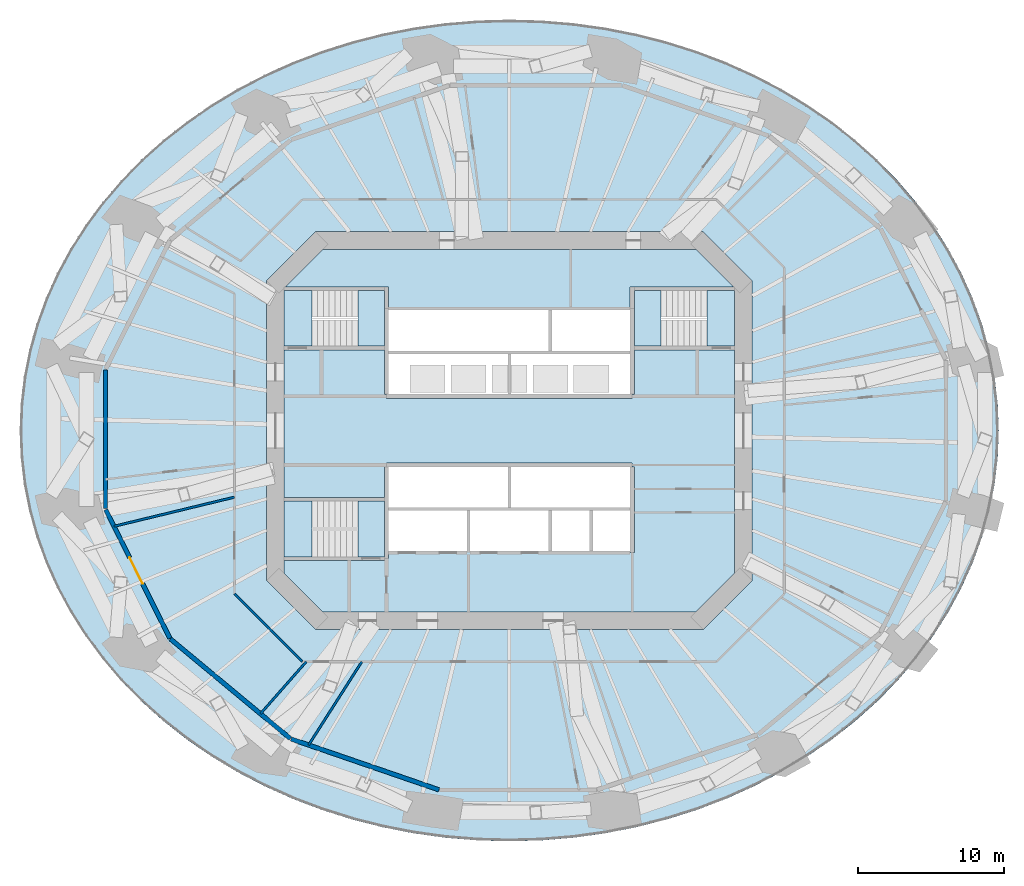
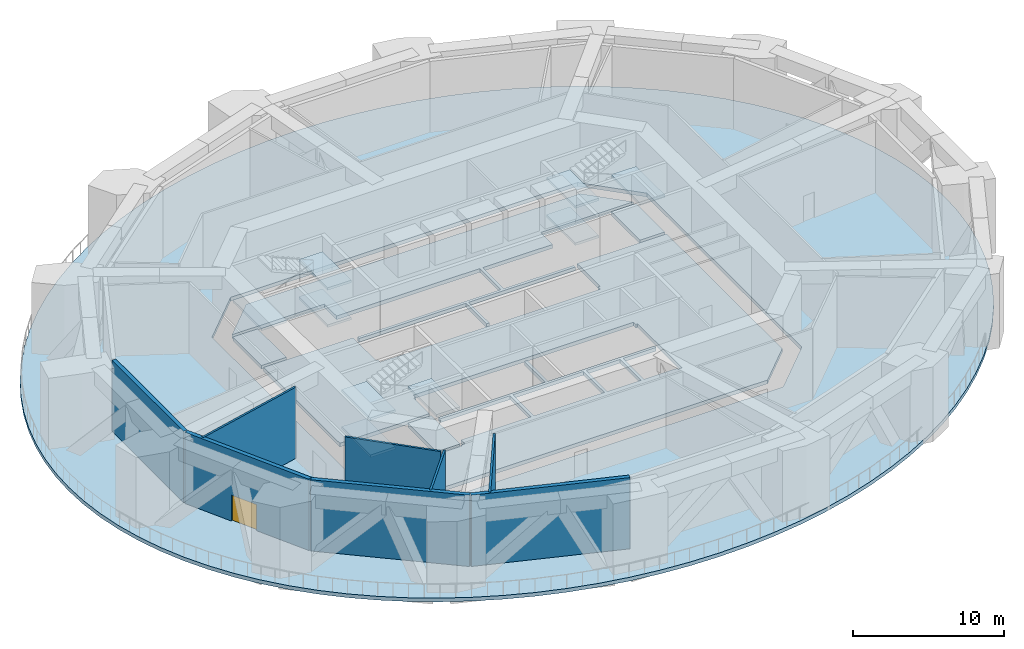
# One storey, part 4 of 12: 15 slabs, 8 walls, 1 door, 1 opening, 3 elements without a shape of their own.
"""IFC4 building model written with IfcOpenShell, lengths in metres."""

from ifc_helpers import new_model, si_unit, direction, frame, frame_2d, origin, place, context, subcontext, project, spatial, polyline, rectangle, outline, extrude, material, layer, layer_set, type_object, element, fill, aggregate, save


model = new_model("IFC4")

# Units and contexts
model_context = context("Model", 3, precision=1e-05, world=origin(), true_north=direction((0.0, 1.0)))
body_context = subcontext(model_context, "Body", "Model", "MODEL_VIEW")
ifc_project = project(units=[si_unit("LENGTHUNIT", "METRE"), si_unit("AREAUNIT", "SQUARE_METRE"), si_unit("VOLUMEUNIT", "CUBIC_METRE"), si_unit("PLANEANGLEUNIT", "RADIAN"), si_unit("MASSUNIT", "GRAM", prefix="KILO")], contexts=[model_context])

# Site, building, storey
site_placement = place(None, origin())
site = spatial("IfcSite", under=ifc_project, at=site_placement, CompositionType="ELEMENT")
building_placement = place(site_placement, origin())
building = spatial("IfcBuilding", under=site, at=building_placement, Name="Marenthal Gate Tower", CompositionType="ELEMENT")
storey_placement = place(building_placement, frame((0.0, 0.0, 149.64990234375)))
storey = spatial("IfcBuildingStorey", under=building, at=storey_placement, Name="L32", CompositionType="ELEMENT", Elevation=149.64990234375)

# Slabs
ifc_material_1 = material(Name="Concrete 50 MPa", Category="concrete")
ifc_layer_1 = layer(ifc_material_1, 0.300048828125)
ifc_layer_set_1 = layer_set([ifc_layer_1], Name="Core floor slab 300")
slab_type_1 = type_object("IfcSlabType", Name="Core floor slab 300", PredefinedType="FLOOR", material=ifc_layer_set_1)
slab_1_placement = place(storey_placement, frame((0.0, 0.0, -0.2998046875)))
element("IfcSlab", 1, at=slab_1_placement, inside=storey, type_object=slab_type_1, Name="Core floor L32", PredefinedType="FLOOR", context=body_context, shape_type="SweptSolid", body=[
    extrude(outline(polyline([(15.39990234375, -9.75146484375), (12.75146484375, -12.39990234375), (-12.75146484375, -12.39990234375), (-15.39990234375, -9.75146484375), (-15.39990234375, -8.875), (-8.550048828125, -8.875), (-8.550048828125, -8.75), (-8.25, -8.75), (-8.25, -8.239990234375), (-5.60009765625, -8.239990234375), (-2.909912109375, -8.239990234375), (-2.909912109375, -5.4599609375), (-5.60009765625, -5.4599609375), (-8.25, -5.4599609375), (-8.25, -5.239990234375), (-5.60009765625, -5.239990234375), (-2.800048828125, -5.239990234375), (-0.110107421875, -5.239990234375), (-0.110107421875, -2.5), (0.110107421875, -2.5), (0.110107421875, -5.239990234375), (2.800048828125, -5.239990234375), (5.60009765625, -5.239990234375), (8.25, -5.239990234375), (8.25, -5.4599609375), (5.7099609375, -5.4599609375), (5.7099609375, -8.239990234375), (8.25, -8.239990234375), (8.25, -8.35009765625), (8.550048828125, -8.35009765625), (8.550048828125, -2.5), (8.39990234375, -2.5), (8.39990234375, -2.199951171875), (-8.39990234375, -2.199951171875), (-8.39990234375, -2.5), (-8.550048828125, -2.5), (-8.550048828125, -4.574951171875), (-15.39990234375, -4.574951171875), (-15.39990234375, 5.52490234375), (-8.550048828125, 5.52490234375), (-8.550048828125, 2.5), (-8.39990234375, 2.5), (-8.39990234375, 2.199951171875), (8.39990234375, 2.199951171875), (8.39990234375, 2.5), (8.550048828125, 2.5), (8.550048828125, 5.52490234375), (15.39990234375, 5.52490234375), (15.39990234375, -9.75146484375)]), holes=[polyline([(2.68994140625, -5.4599609375), (0.0, -5.4599609375), (-2.68994140625, -5.4599609375), (-2.68994140625, -8.239990234375), (0.0, -8.239990234375), (2.68994140625, -8.239990234375), (2.68994140625, -5.4599609375)]), polyline([(5.489990234375, -5.4599609375), (2.909912109375, -5.4599609375), (2.909912109375, -8.239990234375), (5.489990234375, -8.239990234375), (5.489990234375, -5.4599609375)])]), origin(), (0.0, 0.0, 1.0), 0.2998046875),
])
slab_2_placement = place(storey_placement, frame((0.0, 0.0, -0.2998046875)))
element("IfcSlab", 2, at=slab_2_placement, inside=storey, type_object=slab_type_1, Name="Core floor L32", PredefinedType="FLOOR", context=body_context, shape_type="SweptSolid", body=[
    extrude(outline(polyline([(15.39990234375, 5.77490234375), (13.5, 5.77490234375), (13.5, 9.574951171875), (15.39990234375, 9.574951171875), (15.39990234375, 5.77490234375)])), origin(), (0.0, 0.0, 1.0), 0.2998046875),
])
slab_3_placement = place(storey_placement, frame((0.0, 0.0, -0.2998046875)))
element("IfcSlab", 3, at=slab_3_placement, inside=storey, type_object=slab_type_1, Name="Core floor L32", PredefinedType="FLOOR", context=body_context, shape_type="SweptSolid", body=[
    extrude(outline(polyline([(12.75146484375, 12.39990234375), (15.326416015625, 9.824951171875), (8.550048828125, 9.824951171875), (8.25, 9.824951171875), (8.25, 8.35009765625), (8.25, 8.239990234375), (5.60009765625, 8.239990234375), (2.909912109375, 8.239990234375), (2.909912109375, 5.4599609375), (5.60009765625, 5.4599609375), (8.25, 5.4599609375), (8.25, 5.239990234375), (5.60009765625, 5.239990234375), (2.800048828125, 5.239990234375), (0.110107421875, 5.239990234375), (0.110107421875, 2.5), (-0.110107421875, 2.5), (-0.110107421875, 5.239990234375), (-2.800048828125, 5.239990234375), (-5.60009765625, 5.239990234375), (-8.25, 5.239990234375), (-8.25, 5.4599609375), (-5.60009765625, 5.4599609375), (-2.800048828125, 5.4599609375), (0.0, 5.4599609375), (2.68994140625, 5.4599609375), (2.68994140625, 8.239990234375), (0.0, 8.239990234375), (-2.800048828125, 8.239990234375), (-5.60009765625, 8.239990234375), (-8.25, 8.239990234375), (-8.25, 8.35009765625), (-8.25, 9.824951171875), (-8.550048828125, 9.824951171875), (-15.326416015625, 9.824951171875), (-12.75146484375, 12.39990234375), (12.75146484375, 12.39990234375)])), origin(), (0.0, 0.0, 1.0), 0.2998046875),
])
slab_4_placement = place(storey_placement, frame((0.0, 0.0, -0.2998046875)))
element("IfcSlab", 4, at=slab_4_placement, inside=storey, type_object=slab_type_1, Name="Core floor L32", PredefinedType="FLOOR", context=body_context, shape_type="SweptSolid", body=[
    extrude(outline(polyline([(-15.39990234375, 9.574951171875), (-13.5, 9.574951171875), (-13.5, 5.77490234375), (-15.39990234375, 5.77490234375), (-15.39990234375, 9.574951171875)])), origin(), (0.0, 0.0, 1.0), 0.2998046875),
])
slab_5_placement = place(storey_placement, frame((0.0, 0.0, -0.2998046875)))
element("IfcSlab", 5, at=slab_5_placement, inside=storey, type_object=slab_type_1, Name="Core floor L32", PredefinedType="FLOOR", context=body_context, shape_type="SweptSolid", body=[
    extrude(outline(polyline([(-8.550048828125, -8.625), (-10.35009765625, -8.625), (-10.35009765625, -4.824951171875), (-8.550048828125, -4.824951171875), (-8.550048828125, -8.625)])), origin(), (0.0, 0.0, 1.0), 0.2998046875),
])
ifc_material_2 = material(Name="Concrete 35 MPa", Category="concrete")
ifc_layer_2 = layer(ifc_material_2, 0.300048828125)
ifc_layer_set_2 = layer_set([ifc_layer_2], Name="Refuge floor slab 300")
slab_type_2 = type_object("IfcSlabType", Name="Refuge floor slab 300", PredefinedType="FLOOR", material=ifc_layer_set_2)
slab_6_placement = place(storey_placement, frame((0.0, 0.0, -0.2998046875)))
element("IfcSlab", 6, at=slab_6_placement, inside=storey, type_object=slab_type_2, Name="SL-L32-01", PredefinedType="FLOOR", context=body_context, shape_type="SweptSolid", body=[
    extrude(outline(polyline([(33.4619140625, 0.0), (33.390380859375, 1.836181640625), (33.17578125, 3.664794921875), (32.819091796875, 5.4775390625), (32.32177734375, 7.266845703125), (31.686279296875, 9.025146484375), (30.914794921875, 10.74462890625), (30.01123046875, 12.418212890625), (28.97900390625, 14.03857421875), (27.822509765625, 15.5986328125), (26.547119140625, 17.09228515625), (25.158203125, 18.512451171875), (23.6611328125, 19.853515625), (22.06298828125, 21.109375), (20.370361328125, 22.27490234375), (18.590576171875, 23.34521484375), (16.73095703125, 24.3154296875), (14.7998046875, 25.181396484375), (12.805419921875, 25.939697265625), (10.756103515625, 26.5869140625), (8.66064453125, 27.120361328125), (6.528076171875, 27.53759765625), (4.36767578125, 27.8369140625), (2.1884765625, 28.016845703125), (0.0, 28.076904296875), (-2.1884765625, 28.016845703125), (-4.36767578125, 27.8369140625), (-6.528076171875, 27.53759765625), (-8.66064453125, 27.120361328125), (-10.756103515625, 26.5869140625), (-12.805419921875, 25.939697265625), (-14.7998046875, 25.181396484375), (-16.73095703125, 24.3154296875), (-18.590576171875, 23.34521484375), (-20.370361328125, 22.27490234375), (-22.06298828125, 21.109375), (-23.6611328125, 19.853515625), (-25.158203125, 18.512451171875), (-26.547119140625, 17.09228515625), (-27.822509765625, 15.5986328125), (-28.97900390625, 14.03857421875), (-30.01123046875, 12.418212890625), (-30.914794921875, 10.74462890625), (-31.686279296875, 9.025146484375), (-32.32177734375, 7.266845703125), (-32.819091796875, 5.4775390625), (-33.17578125, 3.664794921875), (-33.390380859375, 1.836181640625), (-33.4619140625, 0.0), (-33.390380859375, -1.836181640625), (-33.17578125, -3.664794921875), (-32.819091796875, -5.4775390625), (-32.32177734375, -7.266845703125), (-31.686279296875, -9.025146484375), (-30.914794921875, -10.74462890625), (-30.01123046875, -12.418212890625), (-28.97900390625, -14.03857421875), (-27.822509765625, -15.5986328125), (-26.547119140625, -17.09228515625), (-25.158203125, -18.512451171875), (-23.6611328125, -19.853515625), (-22.06298828125, -21.109375), (-20.370361328125, -22.27490234375), (-18.590576171875, -23.34521484375), (-16.73095703125, -24.3154296875), (-14.7998046875, -25.181396484375), (-12.805419921875, -25.939697265625), (-10.756103515625, -26.5869140625), (-8.66064453125, -27.120361328125), (-6.528076171875, -27.53759765625), (-4.36767578125, -27.8369140625), (-2.1884765625, -28.016845703125), (0.0, -28.076904296875), (2.1884765625, -28.016845703125), (4.36767578125, -27.8369140625), (6.528076171875, -27.53759765625), (8.66064453125, -27.120361328125), (10.756103515625, -26.5869140625), (12.805419921875, -25.939697265625), (14.7998046875, -25.181396484375), (16.73095703125, -24.3154296875), (18.590576171875, -23.34521484375), (20.370361328125, -22.27490234375), (22.06298828125, -21.109375), (23.6611328125, -19.853515625), (25.158203125, -18.512451171875), (26.547119140625, -17.09228515625), (27.822509765625, -15.5986328125), (28.97900390625, -14.03857421875), (30.01123046875, -12.418212890625), (30.914794921875, -10.74462890625), (31.686279296875, -9.025146484375), (32.32177734375, -7.266845703125), (32.819091796875, -5.4775390625), (33.17578125, -3.664794921875), (33.390380859375, -1.836181640625), (33.4619140625, 0.0)]), holes=[polyline([(13.24853515625, -13.60009765625), (16.60009765625, -10.24853515625), (16.60009765625, 10.24853515625), (13.24853515625, 13.60009765625), (-13.24853515625, 13.60009765625), (-16.60009765625, 10.24853515625), (-16.60009765625, -10.24853515625), (-13.24853515625, -13.60009765625), (13.24853515625, -13.60009765625)])]), origin(), (0.0, 0.0, 1.0), 0.2998046875),
])

# Stair, slabs
ifc_material_3 = material(Name="Concrete 40 MPa", Category="concrete")
stair_type = type_object("IfcStairType", Name="Exit stair 1800", PredefinedType="HALF_TURN_STAIR", material=ifc_material_3)
stair_1_placement = place(storey_placement, origin())
stair_1 = element("IfcStair", 7, at=stair_1_placement, inside=storey, type_object=stair_type, Name="Stair ST1", PredefinedType="HALF_TURN_STAIR")
ifc_material_4 = material(Name="Concrete 40 MPa", Category="concrete")
ifc_layer_3 = layer(ifc_material_4, 0.199951171875)
ifc_layer_set_3 = layer_set([ifc_layer_3], Name="Stair landing 200")
slab_type_3 = type_object("IfcSlabType", Name="Stair landing 200", PredefinedType="LANDING", material=ifc_layer_set_3)
slab_7_placement = place(storey_placement, frame((0.0, 0.0, 1.300048828125)))
slab_7 = element("IfcSlab", 8, at=slab_7_placement, type_object=slab_type_3, Name="ST1 landing 1", PredefinedType="LANDING", context=body_context, shape_type="SweptSolid", body=[
    extrude(outline(polyline([(-10.350341796875, 5.77490234375), (-8.550048828125, 5.77490234375), (-8.550048828125, 9.574951171875), (-10.350341796875, 9.574951171875), (-10.350341796875, 5.77490234375)])), origin(), (0.0, 0.0, 1.0), 0.199951171875),
])
slab_8_placement = place(storey_placement, frame((0.0, 0.0, 2.800048828125)))
slab_8 = element("IfcSlab", 9, at=slab_8_placement, type_object=slab_type_3, Name="ST1 landing 2", PredefinedType="LANDING", context=body_context, shape_type="SweptSolid", body=[
    extrude(outline(polyline([(-15.39990234375, 5.77490234375), (-13.5, 5.77490234375), (-13.5, 9.574951171875), (-15.39990234375, 9.574951171875), (-15.39990234375, 5.77490234375)])), origin(), (0.0, 0.0, 1.0), 0.199951171875),
])
slab_9_placement = place(storey_placement, frame((0.0, 0.0, 4.300048828125)))
slab_9 = element("IfcSlab", 10, at=slab_9_placement, type_object=slab_type_3, Name="ST1 landing 3", PredefinedType="LANDING", context=body_context, shape_type="SweptSolid", body=[
    extrude(outline(polyline([(-10.350341796875, 5.77490234375), (-8.550048828125, 5.77490234375), (-8.550048828125, 9.574951171875), (-10.350341796875, 9.574951171875), (-10.350341796875, 5.77490234375)])), origin(), (0.0, 0.0, 1.0), 0.199951171875),
])
aggregate(stair_1, [slab_7, slab_8, slab_9])

stair_2_placement = place(storey_placement, origin())
stair_2 = element("IfcStair", 11, at=stair_2_placement, inside=storey, type_object=stair_type, Name="Stair ST2", PredefinedType="HALF_TURN_STAIR")
slab_10_placement = place(storey_placement, frame((0.0, 0.0, 1.300048828125)))
slab_10 = element("IfcSlab", 12, at=slab_10_placement, type_object=slab_type_3, Name="ST2 landing 1", PredefinedType="LANDING", context=body_context, shape_type="SweptSolid", body=[
    extrude(outline(polyline([(-15.39990234375, -8.625), (-13.49951171875, -8.625), (-13.49951171875, -4.824951171875), (-15.39990234375, -4.824951171875), (-15.39990234375, -8.625)])), origin(), (0.0, 0.0, 1.0), 0.199951171875),
])
slab_11_placement = place(storey_placement, frame((0.0, 0.0, 2.800048828125)))
slab_11 = element("IfcSlab", 13, at=slab_11_placement, type_object=slab_type_3, Name="ST2 landing 2", PredefinedType="LANDING", context=body_context, shape_type="SweptSolid", body=[
    extrude(outline(polyline([(-10.35009765625, -8.625), (-8.550048828125, -8.625), (-8.550048828125, -4.824951171875), (-10.35009765625, -4.824951171875), (-10.35009765625, -8.625)])), origin(), (0.0, 0.0, 1.0), 0.199951171875),
])
slab_12_placement = place(storey_placement, frame((0.0, 0.0, 4.300048828125)))
slab_12 = element("IfcSlab", 14, at=slab_12_placement, type_object=slab_type_3, Name="ST2 landing 3", PredefinedType="LANDING", context=body_context, shape_type="SweptSolid", body=[
    extrude(outline(polyline([(-15.39990234375, -8.625), (-13.49951171875, -8.625), (-13.49951171875, -4.824951171875), (-15.39990234375, -4.824951171875), (-15.39990234375, -8.625)])), origin(), (0.0, 0.0, 1.0), 0.199951171875),
])
aggregate(stair_2, [slab_10, slab_11, slab_12])

stair_3_placement = place(storey_placement, origin())
stair_3 = element("IfcStair", 15, at=stair_3_placement, inside=storey, type_object=stair_type, Name="Stair ST3", PredefinedType="HALF_TURN_STAIR")
slab_13_placement = place(storey_placement, frame((0.0, 0.0, 1.300048828125)))
slab_13 = element("IfcSlab", 16, at=slab_13_placement, type_object=slab_type_3, Name="ST3 landing 1", PredefinedType="LANDING", context=body_context, shape_type="SweptSolid", body=[
    extrude(outline(polyline([(8.550048828125, 5.77490234375), (10.350341796875, 5.77490234375), (10.350341796875, 9.574951171875), (8.550048828125, 9.574951171875), (8.550048828125, 5.77490234375)])), origin(), (0.0, 0.0, 1.0), 0.199951171875),
])
slab_14_placement = place(storey_placement, frame((0.0, 0.0, 2.800048828125)))
slab_14 = element("IfcSlab", 17, at=slab_14_placement, type_object=slab_type_3, Name="ST3 landing 2", PredefinedType="LANDING", context=body_context, shape_type="SweptSolid", body=[
    extrude(outline(polyline([(13.5, 5.77490234375), (15.39990234375, 5.77490234375), (15.39990234375, 9.574951171875), (13.5, 9.574951171875), (13.5, 5.77490234375)])), origin(), (0.0, 0.0, 1.0), 0.199951171875),
])
slab_15_placement = place(storey_placement, frame((0.0, 0.0, 4.300048828125)))
slab_15 = element("IfcSlab", 18, at=slab_15_placement, type_object=slab_type_3, Name="ST3 landing 3", PredefinedType="LANDING", context=body_context, shape_type="SweptSolid", body=[
    extrude(outline(polyline([(8.550048828125, 5.77490234375), (10.350341796875, 5.77490234375), (10.350341796875, 9.574951171875), (8.550048828125, 9.574951171875), (8.550048828125, 5.77490234375)])), origin(), (0.0, 0.0, 1.0), 0.199951171875),
])
aggregate(stair_3, [slab_13, slab_14, slab_15])

# Wall
ifc_material_5 = material(Name="Concrete 40 MPa", Category="concrete")
ifc_layer_4 = layer(ifc_material_5, 0.300048828125)
ifc_layer_set_4 = layer_set([ifc_layer_4], Name="External wall 300")
wall_type_1 = type_object("IfcWallType", Name="External wall 300", PredefinedType="STANDARD", material=ifc_layer_set_4)
wall_1_placement = place(storey_placement, frame((-27.6171875, -5.333251953125, 0.0), z_axis=(0.0, 0.0, 1.0), x_axis=(0.0, 1.0, 0.0)))
element("IfcWall", 19, at=wall_1_placement, inside=storey, type_object=wall_type_1, Name="External wall 56", PredefinedType="STANDARD", context=body_context, shape_type="SweptSolid", body=[
    extrude(rectangle(XDim=9.466552734375, YDim=0.300048828125, at=frame_2d((4.7333984375, 0.0))), origin(), (0.0, 0.0, 1.0), 5.75),
])

# Wall, opening, door
wall_2_placement = place(storey_placement, frame((-23.213623046875, -14.197998046875, 0.0), z_axis=(0.0, 0.0, 1.0), x_axis=(-0.446299505974, 0.894883652196, 0.0)))
wall_2 = element("IfcWall", 20, at=wall_2_placement, inside=storey, type_object=wall_type_1, Name="External wall 58", PredefinedType="STANDARD", context=body_context, shape_type="SweptSolid", body=[
    extrude(rectangle(XDim=9.831298828125, YDim=0.300048828125, at=frame_2d((4.91552734375, 0.0))), origin(), (0.0, 0.0, 1.0), 5.75),
])
opening_placement = place(wall_2_placement, frame((4.162353515625, 0.0, 0.0)))
opening = element("IfcOpeningElement", 21, at=opening_placement, cuts=wall_2, Name="Opening D018.03", PredefinedType="OPENING", context=body_context, shape_type="SweptSolid", body=[
    extrude(rectangle(XDim=2.0, YDim=2.10009765625, at=frame_2d((1.0, 1.050048828125))), frame((0.0, 0.16015625, 0.0), z_axis=(0.0, -1.0, 0.0), x_axis=(1.0, 0.0, 0.0)), (0.0, 0.0, 1.0), 0.320068359375),
])
ifc_material_6 = material(Name="Steel fire door", Category="steel")
door_type = type_object("IfcDoorType", Name="Double fire door FD 45 2000 x 2100", OperationType="DOUBLE_DOOR_SINGLE_SWING", PredefinedType="DOOR", material=ifc_material_6)
door_placement = place(opening_placement, origin())
door = element("IfcDoor", 22, at=door_placement, inside=storey, type_object=door_type, Name="Door D018.03", OperationType="DOUBLE_DOOR_SINGLE_SWING", OverallHeight=2.10009765625, OverallWidth=2.0, PredefinedType="DOOR", context=body_context, shape_type="SweptSolid", body=[
    extrude(rectangle(XDim=2.0, YDim=2.10009765625, at=frame_2d((1.0, 1.050048828125))), frame((0.0, 0.02490234375, 0.0), z_axis=(0.0, -1.0, 0.0), x_axis=(1.0, 0.0, 0.0)), (0.0, 0.0, 1.0), 0.050048828125),
])
fill(opening, door)

# Walls
wall_3_placement = place(storey_placement, frame((-14.973388671875, -21.05859375, 0.0), z_axis=(0.0, 0.0, 1.0), x_axis=(-0.769276945039, 0.63891547315, 0.0)))
element("IfcWall", 23, at=wall_3_placement, inside=storey, type_object=wall_type_1, Name="External wall 60", PredefinedType="STANDARD", context=body_context, shape_type="SweptSolid", body=[
    extrude(rectangle(XDim=10.661865234375, YDim=0.300048828125, at=frame_2d((5.3310546875, 0.0))), origin(), (0.0, 0.0, 1.0), 5.75),
])
wall_4_placement = place(storey_placement, frame((-4.81982421875, -24.56201171875, 0.0), z_axis=(0.0, 0.0, 1.0), x_axis=(-0.945608446972, 0.325307031919, 0.0)))
element("IfcWall", 24, at=wall_4_placement, inside=storey, type_object=wall_type_1, Name="External wall 62", PredefinedType="STANDARD", context=body_context, shape_type="SweptSolid", body=[
    extrude(rectangle(XDim=10.687744140625, YDim=0.300048828125, at=frame_2d((5.34375, 0.0))), origin(), (0.0, 0.0, 1.0), 5.75),
])
ifc_material_7 = material(Name="Gypsum board on steel studs", Category="steel")
ifc_layer_5 = layer(ifc_material_7, 0.14990234375)
ifc_layer_set_5 = layer_set([ifc_layer_5], Name="Partition 150")
wall_type_2 = type_object("IfcWallType", Name="Partition 150", PredefinedType="PARTITIONING", material=ifc_layer_set_5)
wall_5_placement = place(storey_placement, frame((-27.032470703125, -6.541015625, 0.0), z_axis=(0.0, 0.0, 1.0), x_axis=(0.971952610754, 0.235176789773, 0.0)))
element("IfcWall", 25, at=wall_5_placement, inside=storey, type_object=wall_type_2, Name="Partition wall 70", PredefinedType="PARTITIONING", context=body_context, shape_type="SweptSolid", body=[
    extrude(rectangle(XDim=8.469970703125, YDim=0.14990234375, at=frame_2d((4.23486328125, 0.0))), origin(), (0.0, 0.0, 1.0), 5.75),
])
wall_6_placement = place(storey_placement, frame((-17.019287109375, -19.359375, 0.0), z_axis=(0.0, 0.0, 1.0), x_axis=(0.66023527591, 0.751058839536, 0.0)))
element("IfcWall", 26, at=wall_6_placement, inside=storey, type_object=wall_type_2, Name="Partition wall 74", PredefinedType="PARTITIONING", context=body_context, shape_type="SweptSolid", body=[
    extrude(rectangle(XDim=4.739013671875, YDim=0.14990234375, at=frame_2d((2.36962890625, 0.0))), origin(), (0.0, 0.0, 1.0), 5.75),
])
wall_7_placement = place(storey_placement, frame((-13.727783203125, -21.49755859375, 0.0), z_axis=(0.0, 0.0, 1.0), x_axis=(0.538190499236, 0.842823223774, 0.0)))
element("IfcWall", 27, at=wall_7_placement, inside=storey, type_object=wall_type_2, Name="Partition wall 76", PredefinedType="PARTITIONING", context=body_context, shape_type="SweptSolid", body=[
    extrude(rectangle(XDim=6.760009765625, YDim=0.14990234375, at=frame_2d((3.3798828125, 0.0))), origin(), (0.0, 0.0, 1.0), 5.75),
])
wall_8_placement = place(storey_placement, frame((-14.159912109375, -15.800048828125, 0.0), z_axis=(0.0, 0.0, 1.0), x_axis=(-0.707106781187, 0.707106781187, 0.0)))
element("IfcWall", 28, at=wall_8_placement, inside=storey, type_object=wall_type_2, Name="Partition wall 84", PredefinedType="PARTITIONING", context=body_context, shape_type="SweptSolid", body=[
    extrude(rectangle(XDim=6.562255859375, YDim=0.14990234375, at=frame_2d((3.28125, 0.0))), origin(), (0.0, 0.0, 1.0), 5.75),
])

save(model, "model.ifc")
